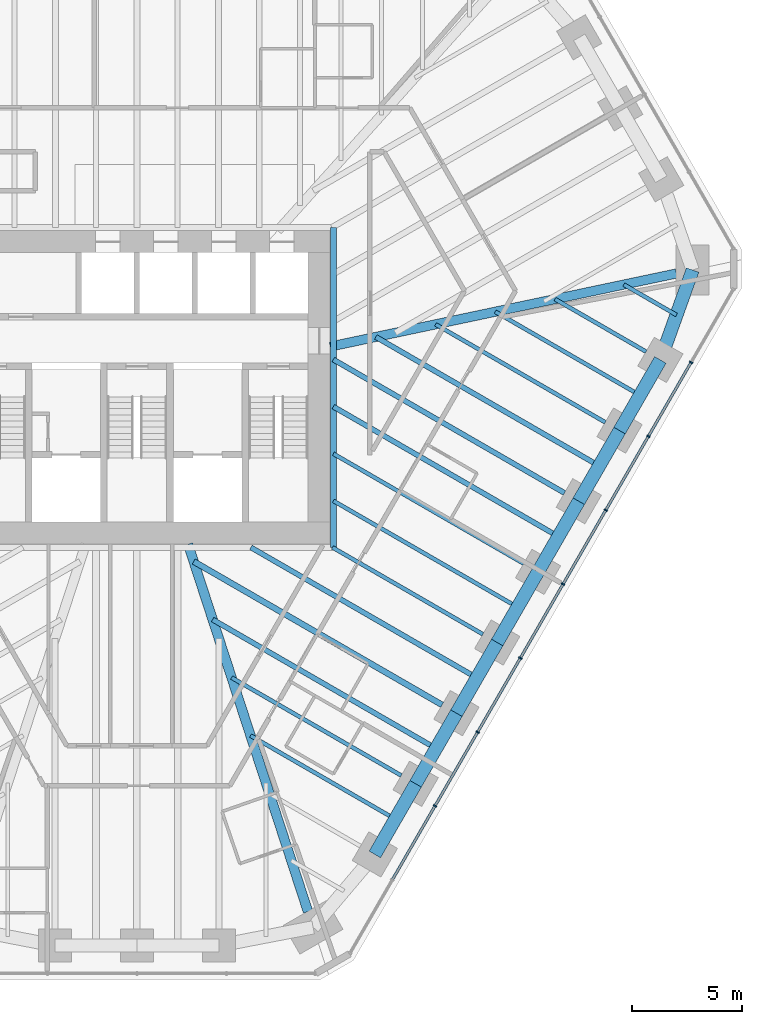
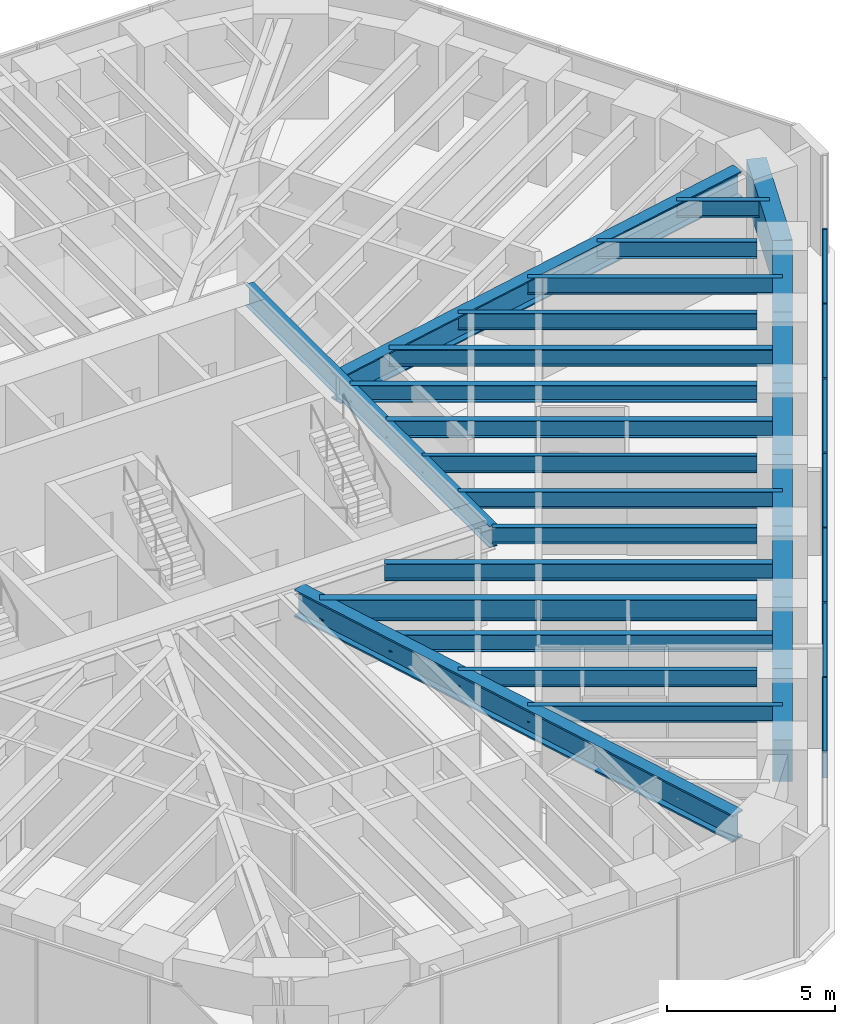
# One storey, part 5 of 16: 26 beams, 14 members, 1 element without a shape of its own.
"""IFC4 building model written with IfcOpenShell, lengths in metres."""

from ifc_helpers import new_model, si_unit, direction, frame, origin, origin_2d, place, context, subcontext, project, spatial, rectangle, i_section, extrude, material, material_profile, profile_set, type_object, element, aggregate, save


model = new_model("IFC4")

# Units and contexts
model_context = context("Model", 3, precision=1e-05, world=origin(), true_north=direction((0.0, 1.0)))
body_context = subcontext(model_context, "Body", "Model", "MODEL_VIEW")
ifc_project = project(units=[si_unit("LENGTHUNIT", "METRE"), si_unit("AREAUNIT", "SQUARE_METRE"), si_unit("VOLUMEUNIT", "CUBIC_METRE"), si_unit("PLANEANGLEUNIT", "RADIAN"), si_unit("MASSUNIT", "GRAM", prefix="KILO")], contexts=[model_context])

# Site, building, storey
site_placement = place(None, origin())
site = spatial("IfcSite", under=ifc_project, at=site_placement, CompositionType="ELEMENT")
building_placement = place(site_placement, origin())
building = spatial("IfcBuilding", under=site, at=building_placement, Name="Sandreach Pilgrim Tower", CompositionType="ELEMENT")
storey_placement = place(building_placement, frame((0.0, 0.0, 225.0)))
storey = spatial("IfcBuildingStorey", under=building, at=storey_placement, Name="L56", CompositionType="ELEMENT", Elevation=225.0)

# Curtain wall, members
ifc_material_1 = material(Name="Aluminium framed curtain wall", Category="aluminium")
curtain_wall_type = type_object("IfcCurtainWallType", Name="Upper hotel tower curtain wall", PredefinedType="NOTDEFINED", material=ifc_material_1)
curtain_wall_placement = place(storey_placement, origin())
curtain_wall = element("IfcCurtainWall", 1, at=curtain_wall_placement, inside=storey, type_object=curtain_wall_type, Name="CW-3 L56 SE", PredefinedType="NOTDEFINED")
ifc_material_2 = material(Name="Aluminium extrusion", Category="aluminium")
ifc_material_profile_1 = material_profile(ifc_material_2, rectangle(XDim=0.06494140625, YDim=0.159912109375, at=origin_2d()), Name="CW-3M 65X160")
ifc_profile_set_1 = profile_set([ifc_material_profile_1], Name="Aluminium extrusion")
member_type_1 = type_object("IfcMemberType", Name="CW-3 mullion", PredefinedType="MULLION", material=ifc_profile_set_1)
member_1_placement = place(storey_placement, frame((25.087890625, 1.13330078125, 0.0), z_axis=(0.0, 0.0, 1.0), x_axis=(-0.5, -0.866025403784, 0.0)))
member_1 = element("IfcMember", 2, at=member_1_placement, type_object=member_type_1, Name="CW-3 mullion 2", PredefinedType="MULLION", context=body_context, shape_type="SweptSolid", body=[
    extrude(rectangle(XDim=0.06494140625, YDim=0.159912109375, at=origin_2d()), origin(), (0.0, 0.0, 1.0), 3.639892578125),
])
member_2_placement = place(storey_placement, frame((23.15576171875, -2.21337890625, 0.0), z_axis=(0.0, 0.0, 1.0), x_axis=(-0.5, -0.866025403784, 0.0)))
member_2 = element("IfcMember", 3, at=member_2_placement, type_object=member_type_1, Name="CW-3 mullion 3", PredefinedType="MULLION", context=body_context, shape_type="SweptSolid", body=[
    extrude(rectangle(XDim=0.06494140625, YDim=0.159912109375, at=origin_2d()), origin(), (0.0, 0.0, 1.0), 3.639892578125),
])
member_3_placement = place(storey_placement, frame((21.223388671875, -5.56005859375, 0.0), z_axis=(0.0, 0.0, 1.0), x_axis=(-0.5, -0.866025403784, 0.0)))
member_3 = element("IfcMember", 4, at=member_3_placement, type_object=member_type_1, Name="CW-3 mullion 4", PredefinedType="MULLION", context=body_context, shape_type="SweptSolid", body=[
    extrude(rectangle(XDim=0.06494140625, YDim=0.159912109375, at=origin_2d()), origin(), (0.0, 0.0, 1.0), 3.639892578125),
])
member_4_placement = place(storey_placement, frame((19.291259765625, -8.90673828125, 0.0), z_axis=(0.0, 0.0, 1.0), x_axis=(-0.5, -0.866025403784, 0.0)))
member_4 = element("IfcMember", 5, at=member_4_placement, type_object=member_type_1, Name="CW-3 mullion 5", PredefinedType="MULLION", context=body_context, shape_type="SweptSolid", body=[
    extrude(rectangle(XDim=0.06494140625, YDim=0.159912109375, at=origin_2d()), origin(), (0.0, 0.0, 1.0), 3.639892578125),
])
member_5_placement = place(storey_placement, frame((17.359130859375, -12.25341796875, 0.0), z_axis=(0.0, 0.0, 1.0), x_axis=(-0.5, -0.866025403784, 0.0)))
member_5 = element("IfcMember", 6, at=member_5_placement, type_object=member_type_1, Name="CW-3 mullion 6", PredefinedType="MULLION", context=body_context, shape_type="SweptSolid", body=[
    extrude(rectangle(XDim=0.06494140625, YDim=0.159912109375, at=origin_2d()), origin(), (0.0, 0.0, 1.0), 3.639892578125),
])
member_6_placement = place(storey_placement, frame((15.4267578125, -15.60009765625, 0.0), z_axis=(0.0, 0.0, 1.0), x_axis=(-0.5, -0.866025403784, 0.0)))
member_6 = element("IfcMember", 7, at=member_6_placement, type_object=member_type_1, Name="CW-3 mullion 7", PredefinedType="MULLION", context=body_context, shape_type="SweptSolid", body=[
    extrude(rectangle(XDim=0.06494140625, YDim=0.159912109375, at=origin_2d()), origin(), (0.0, 0.0, 1.0), 3.639892578125),
])
member_7_placement = place(storey_placement, frame((13.49462890625, -18.94677734375, 0.0), z_axis=(0.0, 0.0, 1.0), x_axis=(-0.5, -0.866025403784, 0.0)))
member_7 = element("IfcMember", 8, at=member_7_placement, type_object=member_type_1, Name="CW-3 mullion 8", PredefinedType="MULLION", context=body_context, shape_type="SweptSolid", body=[
    extrude(rectangle(XDim=0.06494140625, YDim=0.159912109375, at=origin_2d()), origin(), (0.0, 0.0, 1.0), 3.639892578125),
])
ifc_material_3 = material(Name="Aluminium extrusion", Category="aluminium")
ifc_material_profile_2 = material_profile(ifc_material_3, rectangle(XDim=0.1201171875, YDim=0.070068359375, at=origin_2d()), Name="CW-3T 120X70")
ifc_profile_set_2 = profile_set([ifc_material_profile_2], Name="Aluminium extrusion")
member_type_2 = type_object("IfcMemberType", Name="CW-3 transom", PredefinedType="USERDEFINED", material=ifc_profile_set_2)
member_8_placement = place(storey_placement, frame((25.07177734375, 1.105224609375, 3.60498046875), z_axis=(-0.500022797313, -0.86601224135, 0.0), x_axis=(0.86601224135, -0.500022797313, 0.0)))
member_8 = element("IfcMember", 9, at=member_8_placement, type_object=member_type_2, Name="CW-3 head transom 2", ObjectType="TRANSOM", PredefinedType="USERDEFINED", context=body_context, shape_type="SweptSolid", body=[
    extrude(rectangle(XDim=0.1201171875, YDim=0.070068359375, at=origin_2d()), origin(), (0.0, 0.0, 1.0), 3.799560546875),
])
member_9_placement = place(storey_placement, frame((23.139404296875, -2.241455078125, 3.60498046875), z_axis=(-0.499974606132, -0.866040064445, 0.0), x_axis=(0.866040064445, -0.499974606132, 0.0)))
member_9 = element("IfcMember", 10, at=member_9_placement, type_object=member_type_2, Name="CW-3 head transom 3", ObjectType="TRANSOM", PredefinedType="USERDEFINED", context=body_context, shape_type="SweptSolid", body=[
    extrude(rectangle(XDim=0.1201171875, YDim=0.070068359375, at=origin_2d()), origin(), (0.0, 0.0, 1.0), 3.799560546875),
])
member_10_placement = place(storey_placement, frame((21.207275390625, -5.588134765625, 3.60498046875), z_axis=(-0.499974606132, -0.866040064445, 0.0), x_axis=(0.866040064445, -0.499974606132, 0.0)))
member_10 = element("IfcMember", 11, at=member_10_placement, type_object=member_type_2, Name="CW-3 head transom 4", ObjectType="TRANSOM", PredefinedType="USERDEFINED", context=body_context, shape_type="SweptSolid", body=[
    extrude(rectangle(XDim=0.1201171875, YDim=0.070068359375, at=origin_2d()), origin(), (0.0, 0.0, 1.0), 3.799560546875),
])
member_11_placement = place(storey_placement, frame((19.275146484375, -8.934814453125, 3.60498046875), z_axis=(-0.500022797313, -0.86601224135, 0.0), x_axis=(0.86601224135, -0.500022797313, 0.0)))
member_11 = element("IfcMember", 12, at=member_11_placement, type_object=member_type_2, Name="CW-3 head transom 5", ObjectType="TRANSOM", PredefinedType="USERDEFINED", context=body_context, shape_type="SweptSolid", body=[
    extrude(rectangle(XDim=0.1201171875, YDim=0.070068359375, at=origin_2d()), origin(), (0.0, 0.0, 1.0), 3.799560546875),
])
member_12_placement = place(storey_placement, frame((17.3427734375, -12.281494140625, 3.60498046875), z_axis=(-0.499974606132, -0.866040064445, 0.0), x_axis=(0.866040064445, -0.499974606132, 0.0)))
member_12 = element("IfcMember", 13, at=member_12_placement, type_object=member_type_2, Name="CW-3 head transom 6", ObjectType="TRANSOM", PredefinedType="USERDEFINED", context=body_context, shape_type="SweptSolid", body=[
    extrude(rectangle(XDim=0.1201171875, YDim=0.070068359375, at=origin_2d()), origin(), (0.0, 0.0, 1.0), 3.799560546875),
])
member_13_placement = place(storey_placement, frame((15.41064453125, -15.628173828125, 3.60498046875), z_axis=(-0.499974606132, -0.866040064445, 0.0), x_axis=(0.866040064445, -0.499974606132, 0.0)))
member_13 = element("IfcMember", 14, at=member_13_placement, type_object=member_type_2, Name="CW-3 head transom 7", ObjectType="TRANSOM", PredefinedType="USERDEFINED", context=body_context, shape_type="SweptSolid", body=[
    extrude(rectangle(XDim=0.1201171875, YDim=0.070068359375, at=origin_2d()), origin(), (0.0, 0.0, 1.0), 3.799560546875),
])
member_14_placement = place(storey_placement, frame((13.478515625, -18.974853515625, 3.60498046875), z_axis=(-0.500022797313, -0.86601224135, 0.0), x_axis=(0.86601224135, -0.500022797313, 0.0)))
member_14 = element("IfcMember", 15, at=member_14_placement, type_object=member_type_2, Name="CW-3 head transom 8", ObjectType="TRANSOM", PredefinedType="USERDEFINED", context=body_context, shape_type="SweptSolid", body=[
    extrude(rectangle(XDim=0.1201171875, YDim=0.070068359375, at=origin_2d()), origin(), (0.0, 0.0, 1.0), 3.799560546875),
])
aggregate(curtain_wall, [member_1, member_2, member_3, member_4, member_5, member_6, member_7, member_8, member_9, member_10, member_11, member_12, member_13, member_14])

# Beams
ifc_material_4 = material(Name="Steel ASTM A992 Grade 50", Category="steel")
ifc_material_profile_3 = material_profile(ifc_material_4, i_section(OverallWidth=0.2666015625, OverallDepth=0.77978515625, WebThickness=0.0166015625, FlangeThickness=0.030029296875, at=origin_2d()), Name="W30X148")
ifc_profile_set_3 = profile_set([ifc_material_profile_3], Name="Steel ASTM A992 Grade 50")
beam_type_1 = type_object("IfcBeamType", Name="Core edge beam W30X148", PredefinedType="BEAM", material=ifc_profile_set_3)
beam_1_placement = place(storey_placement, frame((8.893310546875, 7.243408203125, 3.25), z_axis=(0.0, -1.0, 0.0), x_axis=(1.0, 0.0, 0.0)))
element("IfcBeam", 16, at=beam_1_placement, inside=storey, type_object=beam_type_1, Name="BM L56 CEE", PredefinedType="BEAM", context=body_context, shape_type="SweptSolid", body=[
    extrude(i_section(OverallWidth=0.2666015625, OverallDepth=0.77978515625, WebThickness=0.0166015625, FlangeThickness=0.030029296875, at=origin_2d()), origin(), (0.0, 0.0, 1.0), 14.48681640625),
])
ifc_material_5 = material(Name="Steel ASTM A992 Grade 50", Category="steel")
ifc_material_profile_4 = material_profile(ifc_material_5, i_section(OverallWidth=0.421630859375, OverallDepth=0.95751953125, WebThickness=0.02587890625, FlangeThickness=0.046875, at=origin_2d()), Name="W36X330")
ifc_profile_set_4 = profile_set([ifc_material_profile_4], Name="Steel ASTM A992 Grade 50")
beam_type_2 = type_object("IfcBeamType", Name="Corner girder W36X330", PredefinedType="BEAM", material=ifc_profile_set_4)
beam_2_placement = place(storey_placement, frame((24.422607421875, 5.156494140625, 3.1611328125), z_axis=(-0.978428978804, -0.206583478132, 0.0), x_axis=(0.206583478132, -0.978428978804, 0.0)))
element("IfcBeam", 17, at=beam_2_placement, inside=storey, type_object=beam_type_2, Name="BM L56 CG13", PredefinedType="BEAM", context=body_context, shape_type="SweptSolid", body=[
    extrude(i_section(OverallWidth=0.421630859375, OverallDepth=0.95751953125, WebThickness=0.02587890625, FlangeThickness=0.046875, at=origin_2d()), origin(), (0.0, 0.0, 1.0), 16.01806640625),
])
ifc_material_6 = material(Name="Steel ASTM A992 Grade 50", Category="steel")
ifc_material_profile_5 = material_profile(ifc_material_6, i_section(OverallWidth=0.431884765625, OverallDepth=0.988037109375, WebThickness=0.034423828125, FlangeThickness=0.06201171875, at=origin_2d()), Name="W36X441")
ifc_profile_set_5 = profile_set([ifc_material_profile_5], Name="Steel ASTM A992 Grade 50")
beam_type_3 = type_object("IfcBeamType", Name="Corner girder W36X441", PredefinedType="BEAM", material=ifc_profile_set_5)
beam_3_placement = place(storey_placement, frame((7.745849609375, -23.72900390625, 3.14599609375), z_axis=(-0.310317870968, 0.950632851819, 0.0), x_axis=(-0.950632851819, -0.310317870968, 0.0)))
element("IfcBeam", 18, at=beam_3_placement, inside=storey, type_object=beam_type_3, Name="BM L56 CG22", PredefinedType="BEAM", context=body_context, shape_type="SweptSolid", body=[
    extrude(i_section(OverallWidth=0.431884765625, OverallDepth=0.988037109375, WebThickness=0.034423828125, FlangeThickness=0.06201171875, at=origin_2d()), origin(), (0.0, 0.0, 1.0), 17.492431640625),
])
ifc_material_7 = material(Name="Steel ASTM A992 Grade 50", Category="steel")
ifc_material_profile_6 = material_profile(ifc_material_7, i_section(OverallWidth=0.1787109375, OverallDepth=0.60205078125, WebThickness=0.010986328125, FlangeThickness=0.014892578125, at=origin_2d()), Name="W24X62")
ifc_profile_set_6 = profile_set([ifc_material_profile_6], Name="Steel ASTM A992 Grade 50")
beam_type_4 = type_object("IfcBeamType", Name="Floor beam W24X62", PredefinedType="BEAM", material=ifc_profile_set_6)
beam_4_placement = place(storey_placement, frame((23.04638671875, 1.6171875, 3.339111328125), z_axis=(-0.86603347311, 0.499986023258, 0.0), x_axis=(-0.499986023258, -0.86603347311, 0.0)))
element("IfcBeam", 19, at=beam_4_placement, inside=storey, type_object=beam_type_4, Name="BM L56 F14", PredefinedType="BEAM", context=body_context, shape_type="SweptSolid", body=[
    extrude(i_section(OverallWidth=0.1787109375, OverallDepth=0.60205078125, WebThickness=0.010986328125, FlangeThickness=0.014892578125, at=origin_2d()), origin(), (0.0, 0.0, 1.0), 4.757568359375),
])
beam_5_placement = place(storey_placement, frame((21.2001953125, -1.58056640625, 3.339111328125), z_axis=(-0.866027448082, 0.499996459156, 0.0), x_axis=(-0.499996459156, -0.866027448082, 0.0)))
element("IfcBeam", 20, at=beam_5_placement, inside=storey, type_object=beam_type_4, Name="BM L56 F15", PredefinedType="BEAM", context=body_context, shape_type="SweptSolid", body=[
    extrude(i_section(OverallWidth=0.1787109375, OverallDepth=0.60205078125, WebThickness=0.010986328125, FlangeThickness=0.014892578125, at=origin_2d()), origin(), (0.0, 0.0, 1.0), 8.86962890625),
])
beam_6_placement = place(storey_placement, frame((17.507568359375, -7.97607421875, 3.339111328125), z_axis=(-0.866027815265, 0.499995823171, 0.0), x_axis=(-0.499995823171, -0.866027815265, 0.0)))
element("IfcBeam", 21, at=beam_6_placement, inside=storey, type_object=beam_type_4, Name="BM L56 F17", PredefinedType="BEAM", context=body_context, shape_type="SweptSolid", body=[
    extrude(i_section(OverallWidth=0.1787109375, OverallDepth=0.60205078125, WebThickness=0.010986328125, FlangeThickness=0.014892578125, at=origin_2d()), origin(), (0.0, 0.0, 1.0), 9.94677734375),
])
beam_7_placement = place(storey_placement, frame((15.661376953125, -11.173828125, 3.339111328125), z_axis=(-0.866038711524, 0.49997694961, 0.0), x_axis=(-0.49997694961, -0.866038711524, 0.0)))
element("IfcBeam", 22, at=beam_7_placement, inside=storey, type_object=beam_type_4, Name="BM L56 F18", PredefinedType="BEAM", context=body_context, shape_type="SweptSolid", body=[
    extrude(i_section(OverallWidth=0.1787109375, OverallDepth=0.60205078125, WebThickness=0.010986328125, FlangeThickness=0.014892578125, at=origin_2d()), origin(), (0.0, 0.0, 1.0), 7.861083984375),
])
beam_8_placement = place(storey_placement, frame((11.96875, -17.569580078125, 3.339111328125), z_axis=(-0.866020566617, 0.500008378126, 0.0), x_axis=(-0.500008378126, -0.866020566617, 0.0)))
element("IfcBeam", 23, at=beam_8_placement, inside=storey, type_object=beam_type_4, Name="BM L56 F20", PredefinedType="BEAM", context=body_context, shape_type="SweptSolid", body=[
    extrude(i_section(OverallWidth=0.1787109375, OverallDepth=0.60205078125, WebThickness=0.010986328125, FlangeThickness=0.014892578125, at=origin_2d()), origin(), (0.0, 0.0, 1.0), 8.869384765625),
])
beam_9_placement = place(storey_placement, frame((24.42626953125, 3.27685546875, 3.339111328125), z_axis=(-0.866046803606, 0.49996293259, 0.0), x_axis=(-0.49996293259, -0.866046803606, 0.0)))
element("IfcBeam", 24, at=beam_9_placement, inside=storey, type_object=beam_type_4, Name="BM L56 FM13", PredefinedType="BEAM", context=body_context, shape_type="SweptSolid", body=[
    extrude(i_section(OverallWidth=0.1787109375, OverallDepth=0.60205078125, WebThickness=0.010986328125, FlangeThickness=0.014892578125, at=origin_2d()), origin(), (0.0, 0.0, 1.0), 2.753662109375),
])
beam_10_placement = place(storey_placement, frame((22.772705078125, -0.356689453125, 3.339111328125), z_axis=(-0.866029704776, 0.49999255039, 0.0), x_axis=(-0.49999255039, -0.866029704776, 0.0)))
element("IfcBeam", 25, at=beam_10_placement, inside=storey, type_object=beam_type_4, Name="BM L56 FM14", PredefinedType="BEAM", context=body_context, shape_type="SweptSolid", body=[
    extrude(i_section(OverallWidth=0.1787109375, OverallDepth=0.60205078125, WebThickness=0.010986328125, FlangeThickness=0.014892578125, at=origin_2d()), origin(), (0.0, 0.0, 1.0), 7.5634765625),
])
beam_11_placement = place(storey_placement, frame((17.23388671875, -9.949951171875, 3.339111328125), z_axis=(-0.866025593094, 0.499999672107, 0.0), x_axis=(-0.499999672107, -0.866025593094, 0.0)))
element("IfcBeam", 26, at=beam_11_placement, inside=storey, type_object=beam_type_4, Name="BM L56 FM17", PredefinedType="BEAM", context=body_context, shape_type="SweptSolid", body=[
    extrude(i_section(OverallWidth=0.1787109375, OverallDepth=0.60205078125, WebThickness=0.010986328125, FlangeThickness=0.014892578125, at=origin_2d()), origin(), (0.0, 0.0, 1.0), 9.630859375),
])
beam_12_placement = place(storey_placement, frame((11.6953125, -19.54345703125, 3.339111328125), z_axis=(-0.866029704776, 0.49999255039, 0.0), x_axis=(-0.49999255039, -0.866029704776, 0.0)))
element("IfcBeam", 27, at=beam_12_placement, inside=storey, type_object=beam_type_4, Name="BM L56 FM20", PredefinedType="BEAM", context=body_context, shape_type="SweptSolid", body=[
    extrude(i_section(OverallWidth=0.1787109375, OverallDepth=0.60205078125, WebThickness=0.010986328125, FlangeThickness=0.014892578125, at=origin_2d()), origin(), (0.0, 0.0, 1.0), 7.5634765625),
])
ifc_material_8 = material(Name="Steel ASTM A992 Grade 50", Category="steel")
ifc_material_profile_7 = material_profile(ifc_material_8, i_section(OverallWidth=0.23046875, OverallDepth=0.6171875, WebThickness=0.01318359375, FlangeThickness=0.022216796875, at=origin_2d()), Name="W24X94")
ifc_profile_set_7 = profile_set([ifc_material_profile_7], Name="Steel ASTM A992 Grade 50")
beam_type_5 = type_object("IfcBeamType", Name="Floor beam W24X94", PredefinedType="BEAM", material=ifc_profile_set_7)
beam_13_placement = place(storey_placement, frame((19.353759765625, -4.7783203125, 3.331298828125), z_axis=(-0.866026713419, 0.49999773164, 0.0), x_axis=(-0.49999773164, -0.866026713419, 0.0)))
element("IfcBeam", 28, at=beam_13_placement, inside=storey, type_object=beam_type_5, Name="BM L56 F16", PredefinedType="BEAM", context=body_context, shape_type="SweptSolid", body=[
    extrude(i_section(OverallWidth=0.23046875, OverallDepth=0.6171875, WebThickness=0.01318359375, FlangeThickness=0.022216796875, at=origin_2d()), origin(), (0.0, 0.0, 1.0), 12.07861328125),
])
beam_14_placement = place(storey_placement, frame((20.926513671875, -3.554443359375, 3.331298828125), z_axis=(-0.866026454974, 0.499998179282, 0.0), x_axis=(-0.499998179282, -0.866026454974, 0.0)))
element("IfcBeam", 29, at=beam_14_placement, inside=storey, type_object=beam_type_5, Name="BM L56 FM15", PredefinedType="BEAM", context=body_context, shape_type="SweptSolid", body=[
    extrude(i_section(OverallWidth=0.23046875, OverallDepth=0.6171875, WebThickness=0.01318359375, FlangeThickness=0.022216796875, at=origin_2d()), origin(), (0.0, 0.0, 1.0), 11.67578125),
])
beam_15_placement = place(storey_placement, frame((19.080322265625, -6.752197265625, 3.331298828125), z_axis=(-0.866030053141, 0.499991946992, 0.0), x_axis=(-0.499991946992, -0.866030053141, 0.0)))
element("IfcBeam", 30, at=beam_15_placement, inside=storey, type_object=beam_type_5, Name="BM L56 FM16", PredefinedType="BEAM", context=body_context, shape_type="SweptSolid", body=[
    extrude(i_section(OverallWidth=0.23046875, OverallDepth=0.6171875, WebThickness=0.01318359375, FlangeThickness=0.022216796875, at=origin_2d()), origin(), (0.0, 0.0, 1.0), 11.762939453125),
])
beam_16_placement = place(storey_placement, frame((15.3876953125, -13.14794921875, 3.331298828125), z_axis=(-0.866022050506, 0.500005808004, 0.0), x_axis=(-0.500005808004, -0.866022050506, 0.0)))
element("IfcBeam", 31, at=beam_16_placement, inside=storey, type_object=beam_type_5, Name="BM L56 FM18", PredefinedType="BEAM", context=body_context, shape_type="SweptSolid", body=[
    extrude(i_section(OverallWidth=0.23046875, OverallDepth=0.6171875, WebThickness=0.01318359375, FlangeThickness=0.022216796875, at=origin_2d()), origin(), (0.0, 0.0, 1.0), 11.808837890625),
])
beam_17_placement = place(storey_placement, frame((13.54150390625, -16.345703125, 3.331298828125), z_axis=(-0.866026454974, 0.499998179282, 0.0), x_axis=(-0.499998179282, -0.866026454974, 0.0)))
element("IfcBeam", 32, at=beam_17_placement, inside=storey, type_object=beam_type_5, Name="BM L56 FM19", PredefinedType="BEAM", context=body_context, shape_type="SweptSolid", body=[
    extrude(i_section(OverallWidth=0.23046875, OverallDepth=0.6171875, WebThickness=0.01318359375, FlangeThickness=0.022216796875, at=origin_2d()), origin(), (0.0, 0.0, 1.0), 11.67578125),
])
ifc_material_9 = material(Name="Steel ASTM A992 Grade 50", Category="steel")
ifc_material_profile_8 = material_profile(ifc_material_9, i_section(OverallWidth=0.2666015625, OverallDepth=0.761962890625, WebThickness=0.014404296875, FlangeThickness=0.021484375, at=origin_2d()), Name="W30X116")
ifc_profile_set_8 = profile_set([ifc_material_profile_8], Name="Steel ASTM A992 Grade 50")
beam_type_6 = type_object("IfcBeamType", Name="Floor beam W30X116", PredefinedType="BEAM", material=ifc_profile_set_8)
beam_18_placement = place(storey_placement, frame((13.815185546875, -14.371826171875, 3.259033203125), z_axis=(-0.866025240073, 0.500000283557, 0.0), x_axis=(-0.500000283557, -0.866025240073, 0.0)))
element("IfcBeam", 33, at=beam_18_placement, inside=storey, type_object=beam_type_6, Name="BM L56 F19", PredefinedType="BEAM", context=body_context, shape_type="SweptSolid", body=[
    extrude(i_section(OverallWidth=0.2666015625, OverallDepth=0.761962890625, WebThickness=0.014404296875, FlangeThickness=0.021484375, at=origin_2d()), origin(), (0.0, 0.0, 1.0), 12.98193359375),
])
ifc_material_10 = material(Name="Concrete 10000 psi", Category="concrete")
ifc_material_profile_9 = material_profile(ifc_material_10, rectangle(XDim=0.60009765625, YDim=1.5, at=origin_2d()), Name="RC600X1500")
ifc_profile_set_9 = profile_set([ifc_material_profile_9], Name="Concrete 10000 psi")
beam_type_7 = type_object("IfcBeamType", Name="Spandrel beam RC600X1500", PredefinedType="SPANDREL", material=ifc_profile_set_9)
beam_19_placement = place(storey_placement, frame((25.156494140625, 5.311279296875, 2.889892578125), z_axis=(-0.337863470932, -0.941195131208, 0.0), x_axis=(0.941195131208, -0.337863470932, 0.0)))
element("IfcBeam", 34, at=beam_19_placement, inside=storey, type_object=beam_type_7, Name="BM L56 SP13", PredefinedType="SPANDREL", context=body_context, shape_type="SweptSolid", body=[
    extrude(rectangle(XDim=0.60009765625, YDim=1.5, at=origin_2d()), origin(), (0.0, 0.0, 1.0), 4.3232421875),
])
for number, where, z_axis, x_axis, name in (
    (35, (23.69580078125, 1.2421875, 2.889892578125), (-0.499993363642, -0.866029235253, 0.0), (0.866029235253, -0.499993363642, 0.0), "BM L56 SP14"),
    (36, (21.849609375, -1.95556640625, 2.889892578125), (-0.499993363642, -0.866029235253, 0.0), (0.866029235253, -0.499993363642, 0.0), "BM L56 SP15"),
    (37, (20.00341796875, -5.1533203125, 2.889892578125), (-0.499993363642, -0.866029235253, 0.0), (0.866029235253, -0.499993363642, 0.0), "BM L56 SP16"),
):
    element("IfcBeam", number, at=place(storey_placement, frame(where, z_axis=z_axis, x_axis=x_axis)), inside=storey, type_object=beam_type_7, Name=name, PredefinedType="SPANDREL", context=body_context, shape_type="SweptSolid", body=[
        extrude(rectangle(XDim=0.60009765625, YDim=1.5, at=origin_2d()), origin(), (0.0, 0.0, 1.0), 3.6923828125),
    ])
for number, where, z_axis, x_axis, name in (
    (38, (18.1572265625, -8.35107421875, 2.889892578125), (-0.500042951019, -0.866000604582, 0.0), (0.866000604582, -0.500042951019, 0.0), "BM L56 SP17"),
    (39, (16.310791015625, -11.548828125, 2.889892578125), (-0.49996473481, -0.866045763194, 0.0), (0.866045763194, -0.49996473481, 0.0), "BM L56 SP18"),
):
    element("IfcBeam", number, at=place(storey_placement, frame(where, z_axis=z_axis, x_axis=x_axis)), inside=storey, type_object=beam_type_7, Name=name, PredefinedType="SPANDREL", context=body_context, shape_type="SweptSolid", body=[
        extrude(rectangle(XDim=0.60009765625, YDim=1.5, at=origin_2d()), origin(), (0.0, 0.0, 1.0), 3.692626953125),
    ])
for number, where, z_axis, x_axis, name in (
    (40, (14.464599609375, -14.746826171875, 2.889892578125), (-0.499993363642, -0.866029235253, 0.0), (0.866029235253, -0.499993363642, 0.0), "BM L56 SP19"),
    (41, (12.618408203125, -17.944580078125, 2.889892578125), (-0.499993363642, -0.866029235253, 0.0), (0.866029235253, -0.499993363642, 0.0), "BM L56 SP20"),
):
    element("IfcBeam", number, at=place(storey_placement, frame(where, z_axis=z_axis, x_axis=x_axis)), inside=storey, type_object=beam_type_7, Name=name, PredefinedType="SPANDREL", context=body_context, shape_type="SweptSolid", body=[
        extrude(rectangle(XDim=0.60009765625, YDim=1.5, at=origin_2d()), origin(), (0.0, 0.0, 1.0), 3.6923828125),
    ])

save(model, "model.ifc")
